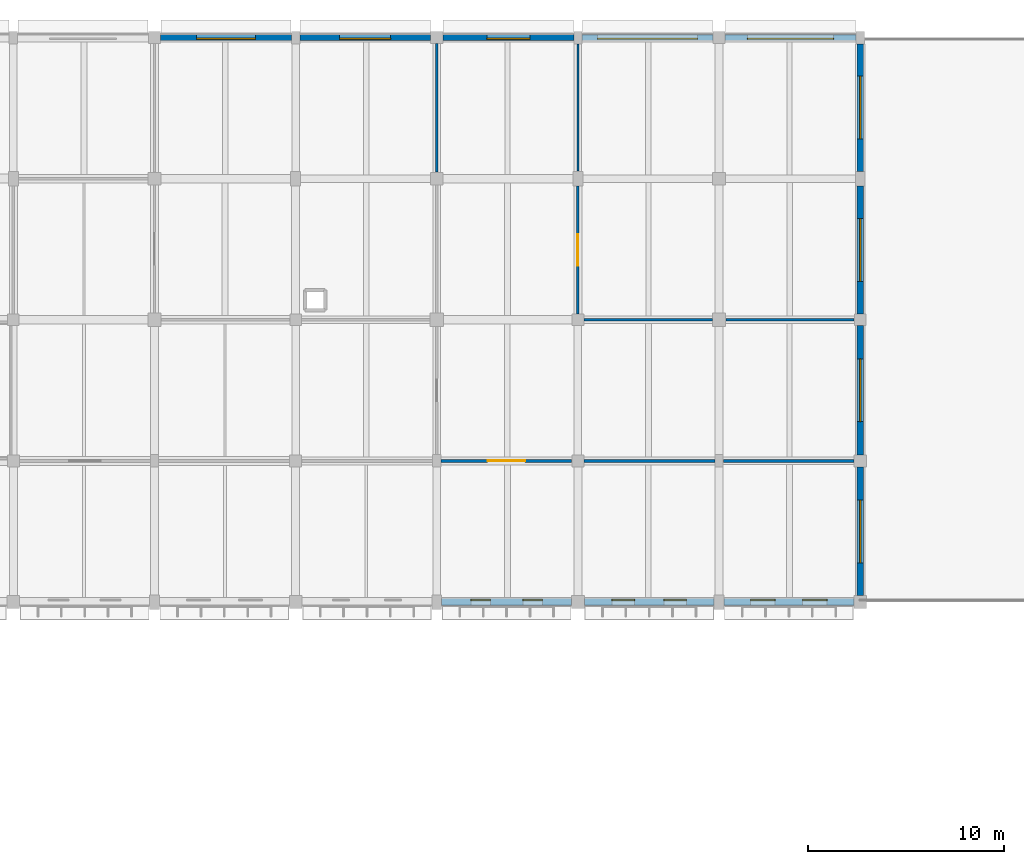
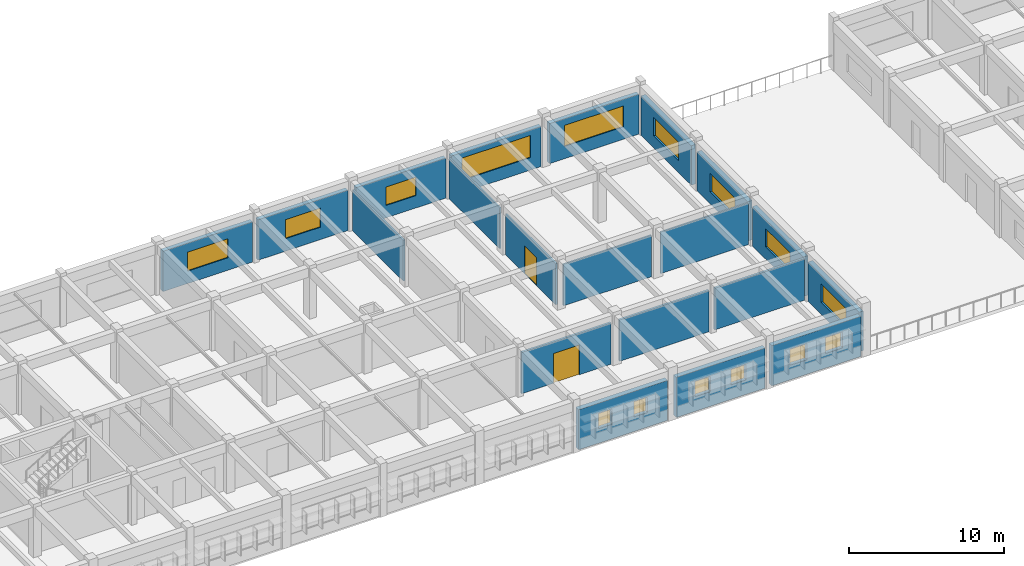
# One storey, part 90 of 103: 20 walls, 15 windows, 2 doors, 17 openings.
"""IFC4 building model written with IfcOpenShell, lengths in metres."""

from ifc_helpers import new_model, si_unit, direction, frame, frame_2d, origin, place, context, subcontext, project, spatial, rectangle, extrude, material, layer, layer_set, type_object, element, fill, save


model = new_model("IFC4")

# Units and contexts
model_context = context("Model", 3, precision=1e-05, world=origin(), true_north=direction((0.0, 1.0)))
body_context = subcontext(model_context, "Body", "Model", "MODEL_VIEW")
ifc_project = project(units=[si_unit("LENGTHUNIT", "METRE"), si_unit("AREAUNIT", "SQUARE_METRE"), si_unit("VOLUMEUNIT", "CUBIC_METRE"), si_unit("PLANEANGLEUNIT", "RADIAN"), si_unit("MASSUNIT", "GRAM", prefix="KILO")], contexts=[model_context])

# Site, building, storey
site_placement = place(None, origin())
site = spatial("IfcSite", under=ifc_project, at=site_placement, CompositionType="ELEMENT")
building_placement = place(site_placement, origin())
building = spatial("IfcBuilding", under=site, at=building_placement, Name="Thalmaran Polytechnic", CompositionType="ELEMENT")
storey_placement = place(building_placement, frame((0.0, 0.0, 14.39990234375)))
storey = spatial("IfcBuildingStorey", under=building, at=storey_placement, Name="L03", CompositionType="ELEMENT", Elevation=14.39990234375)

# Wall, openings, windows
ifc_material_1 = material(Name="Precast concrete C40/50", Category="concrete")
ifc_layer_1 = layer(ifc_material_1, 0.360107421875, Name="Precast concrete C40/50")
ifc_layer_set_1 = layer_set([ifc_layer_1], Name="Precast concrete C40/50")
wall_type_1 = type_object("IfcWallType", Name="WL-EW01", PredefinedType="STANDARD", material=ifc_layer_set_1)
wall_1_placement = place(storey_placement, frame((114.875, 93.60009765625, 0.0), z_axis=(0.0, 0.0, 1.0), x_axis=(-1.0, 0.0, 0.0)))
wall_1 = element("IfcWall", 1, at=wall_1_placement, inside=storey, type_object=wall_type_1, Name="Exterior Precast Facade Wall L03-076", PredefinedType="STANDARD", context=body_context, shape_type="SweptSolid", body=[
    extrude(rectangle(XDim=6.625, YDim=0.360107421875, at=frame_2d((3.3125, 0.0))), origin(), (0.0, 0.0, 1.0), 3.16015625),
])
opening_1_placement = place(wall_1_placement, frame((1.362548828125, 0.0, 1.14990234375)))
opening_1 = element("IfcOpeningElement", 2, at=opening_1_placement, cuts=wall_1, Name="Opening VW11", PredefinedType="OPENING", context=body_context, shape_type="SweptSolid", body=[
    extrude(rectangle(XDim=1.25, YDim=1.25, at=frame_2d((0.625, 0.625))), frame((0.0, 0.18994140625, 0.0), z_axis=(0.0, -1.0, 0.0), x_axis=(1.0, 0.0, 0.0)), (0.0, 0.0, 1.0), 0.380126953125),
])
opening_2_placement = place(wall_1_placement, frame((4.012451171875, 0.0, 1.14990234375)))
opening_2 = element("IfcOpeningElement", 3, at=opening_2_placement, cuts=wall_1, Name="Opening VW11", PredefinedType="OPENING", context=body_context, shape_type="SweptSolid", body=[
    extrude(rectangle(XDim=1.25, YDim=1.25, at=frame_2d((0.625, 0.625))), frame((0.0, 0.18994140625, 0.0), z_axis=(0.0, -1.0, 0.0), x_axis=(1.0, 0.0, 0.0)), (0.0, 0.0, 1.0), 0.380126953125),
])
ifc_material_2 = material(Name="Thermally broken aluminium and double low-E glass", Category="aluminium")
window_type_1 = type_object("IfcWindowType", Name="WN-VZ11", PartitioningType="SINGLE_PANEL", PredefinedType="WINDOW", material=ifc_material_2)
window_1_placement = place(opening_1_placement, origin())
window_1 = element("IfcWindow", 4, at=window_1_placement, inside=storey, type_object=window_type_1, Name="Deep-Set Solar-Screened Window W-0481", OverallHeight=1.25, OverallWidth=1.25, PartitioningType="SINGLE_PANEL", PredefinedType="WINDOW", context=body_context, shape_type="SweptSolid", body=[
    extrude(rectangle(XDim=1.25, YDim=1.25, at=frame_2d((0.625, 0.625))), frame((0.0, -0.080078125, 0.0), z_axis=(0.0, -1.0, 0.0), x_axis=(1.0, 0.0, 0.0)), (0.0, 0.0, 1.0), 0.06005859375),
])
fill(opening_1, window_1)
window_2_placement = place(opening_2_placement, origin())
window_2 = element("IfcWindow", 5, at=window_2_placement, inside=storey, type_object=window_type_1, Name="Deep-Set Solar-Screened Window W-0482", OverallHeight=1.25, OverallWidth=1.25, PartitioningType="SINGLE_PANEL", PredefinedType="WINDOW", context=body_context, shape_type="SweptSolid", body=[
    extrude(rectangle(XDim=1.25, YDim=1.25, at=frame_2d((0.625, 0.625))), frame((0.0, -0.080078125, 0.0), z_axis=(0.0, -1.0, 0.0), x_axis=(1.0, 0.0, 0.0)), (0.0, 0.0, 1.0), 0.06005859375),
])
fill(opening_2, window_2)

wall_2_placement = place(storey_placement, frame((107.75, 93.60009765625, 0.0), z_axis=(0.0, 0.0, 1.0), x_axis=(-1.0, 0.0, 0.0)))
wall_2 = element("IfcWall", 6, at=wall_2_placement, inside=storey, type_object=wall_type_1, Name="Exterior Precast Facade Wall L03-077", PredefinedType="STANDARD", context=body_context, shape_type="SweptSolid", body=[
    extrude(rectangle(XDim=6.625, YDim=0.360107421875, at=frame_2d((3.3125, 0.0))), origin(), (0.0, 0.0, 1.0), 3.16015625),
])
opening_3_placement = place(wall_2_placement, frame((1.41259765625, 0.0, 1.14990234375)))
opening_3 = element("IfcOpeningElement", 7, at=opening_3_placement, cuts=wall_2, Name="Opening VW12", PredefinedType="OPENING", context=body_context, shape_type="SweptSolid", body=[
    extrude(rectangle(XDim=1.14990234375, YDim=1.199951171875, at=frame_2d((0.574951171875, 0.60009765625))), frame((0.0, 0.18994140625, 0.0), z_axis=(0.0, -1.0, 0.0), x_axis=(1.0, 0.0, 0.0)), (0.0, 0.0, 1.0), 0.380126953125),
])
opening_4_placement = place(wall_2_placement, frame((4.0625, 0.0, 1.14990234375)))
opening_4 = element("IfcOpeningElement", 8, at=opening_4_placement, cuts=wall_2, Name="Opening VW12", PredefinedType="OPENING", context=body_context, shape_type="SweptSolid", body=[
    extrude(rectangle(XDim=1.14990234375, YDim=1.199951171875, at=frame_2d((0.574951171875, 0.60009765625))), frame((0.0, 0.18994140625, 0.0), z_axis=(0.0, -1.0, 0.0), x_axis=(1.0, 0.0, 0.0)), (0.0, 0.0, 1.0), 0.380126953125),
])
window_type_2 = type_object("IfcWindowType", Name="WN-VZ12", PartitioningType="SINGLE_PANEL", PredefinedType="WINDOW", material=ifc_material_2)
window_3_placement = place(opening_3_placement, origin())
window_3 = element("IfcWindow", 9, at=window_3_placement, inside=storey, type_object=window_type_2, Name="Deep-Set Solar-Screened Window W-0483", OverallHeight=1.199951171875, OverallWidth=1.14990234375, PartitioningType="SINGLE_PANEL", PredefinedType="WINDOW", context=body_context, shape_type="SweptSolid", body=[
    extrude(rectangle(XDim=1.14990234375, YDim=1.199951171875, at=frame_2d((0.574951171875, 0.60009765625))), frame((0.0, -0.080078125, 0.0), z_axis=(0.0, -1.0, 0.0), x_axis=(1.0, 0.0, 0.0)), (0.0, 0.0, 1.0), 0.06005859375),
])
fill(opening_3, window_3)
window_4_placement = place(opening_4_placement, origin())
window_4 = element("IfcWindow", 10, at=window_4_placement, inside=storey, type_object=window_type_2, Name="Deep-Set Solar-Screened Window W-0484", OverallHeight=1.199951171875, OverallWidth=1.14990234375, PartitioningType="SINGLE_PANEL", PredefinedType="WINDOW", context=body_context, shape_type="SweptSolid", body=[
    extrude(rectangle(XDim=1.14990234375, YDim=1.199951171875, at=frame_2d((0.574951171875, 0.60009765625))), frame((0.0, -0.080078125, 0.0), z_axis=(0.0, -1.0, 0.0), x_axis=(1.0, 0.0, 0.0)), (0.0, 0.0, 1.0), 0.06005859375),
])
fill(opening_4, window_4)

wall_3_placement = place(storey_placement, frame((100.47509765625, 93.60009765625, 0.0), z_axis=(0.0, 0.0, 1.0), x_axis=(-1.0, 0.0, 0.0)))
wall_3 = element("IfcWall", 11, at=wall_3_placement, inside=storey, type_object=wall_type_1, Name="Exterior Precast Facade Wall L03-078", PredefinedType="STANDARD", context=body_context, shape_type="SweptSolid", body=[
    extrude(rectangle(XDim=6.625, YDim=0.360107421875, at=frame_2d((3.3125, 0.0))), origin(), (0.0, 0.0, 1.0), 3.16015625),
])
opening_5_placement = place(wall_3_placement, frame((1.487548828125, 0.0, 1.14990234375)))
opening_5 = element("IfcOpeningElement", 12, at=opening_5_placement, cuts=wall_3, Name="Opening VW13", PredefinedType="OPENING", context=body_context, shape_type="SweptSolid", body=[
    extrude(rectangle(XDim=1.0, YDim=1.199951171875, at=frame_2d((0.5, 0.60009765625))), frame((0.0, 0.18994140625, 0.0), z_axis=(0.0, -1.0, 0.0), x_axis=(1.0, 0.0, 0.0)), (0.0, 0.0, 1.0), 0.380126953125),
])
opening_6_placement = place(wall_3_placement, frame((4.137451171875, 0.0, 1.14990234375)))
opening_6 = element("IfcOpeningElement", 13, at=opening_6_placement, cuts=wall_3, Name="Opening VW13", PredefinedType="OPENING", context=body_context, shape_type="SweptSolid", body=[
    extrude(rectangle(XDim=1.0, YDim=1.199951171875, at=frame_2d((0.5, 0.60009765625))), frame((0.0, 0.18994140625, 0.0), z_axis=(0.0, -1.0, 0.0), x_axis=(1.0, 0.0, 0.0)), (0.0, 0.0, 1.0), 0.380126953125),
])
window_type_3 = type_object("IfcWindowType", Name="WN-VZ13", PartitioningType="SINGLE_PANEL", PredefinedType="WINDOW", material=ifc_material_2)
window_5_placement = place(opening_5_placement, origin())
window_5 = element("IfcWindow", 14, at=window_5_placement, inside=storey, type_object=window_type_3, Name="Deep-Set Solar-Screened Window W-0485", OverallHeight=1.199951171875, OverallWidth=1.0, PartitioningType="SINGLE_PANEL", PredefinedType="WINDOW", context=body_context, shape_type="SweptSolid", body=[
    extrude(rectangle(XDim=1.0, YDim=1.199951171875, at=frame_2d((0.5, 0.60009765625))), frame((0.0, -0.080078125, 0.0), z_axis=(0.0, -1.0, 0.0), x_axis=(1.0, 0.0, 0.0)), (0.0, 0.0, 1.0), 0.06005859375),
])
fill(opening_5, window_5)
window_6_placement = place(opening_6_placement, origin())
window_6 = element("IfcWindow", 15, at=window_6_placement, inside=storey, type_object=window_type_3, Name="Deep-Set Solar-Screened Window W-0486", OverallHeight=1.199951171875, OverallWidth=1.0, PartitioningType="SINGLE_PANEL", PredefinedType="WINDOW", context=body_context, shape_type="SweptSolid", body=[
    extrude(rectangle(XDim=1.0, YDim=1.199951171875, at=frame_2d((0.5, 0.60009765625))), frame((0.0, -0.080078125, 0.0), z_axis=(0.0, -1.0, 0.0), x_axis=(1.0, 0.0, 0.0)), (0.0, 0.0, 1.0), 0.06005859375),
])
fill(opening_6, window_6)

# Wall, opening, window
ifc_layer_2 = layer(ifc_material_1, 0.330078125, Name="Precast concrete C40/50")
ifc_layer_set_2 = layer_set([ifc_layer_2], Name="Precast concrete C40/50")
wall_type_2 = type_object("IfcWallType", Name="WL-EW02", PredefinedType="STANDARD", material=ifc_layer_set_2)
wall_4_placement = place(storey_placement, frame((115.199951171875, 122.080078125, 0.0), z_axis=(0.0, 0.0, 1.0), x_axis=(0.0, -1.0, 0.0)))
wall_4 = element("IfcWall", 16, at=wall_4_placement, inside=storey, type_object=wall_type_2, Name="Terrace Access Wall L03-072", PredefinedType="STANDARD", context=body_context, shape_type="SweptSolid", body=[
    extrude(rectangle(XDim=6.505126953125, YDim=0.330078125, at=frame_2d((3.25244140625, 0.0))), origin(), (0.0, 0.0, 1.0), 3.110107421875),
])
opening_7_placement = place(wall_4_placement, frame((1.652587890625, 0.0, 0.949951171875)))
opening_7 = element("IfcOpeningElement", 17, at=opening_7_placement, cuts=wall_4, Name="Opening RW04", PredefinedType="OPENING", context=body_context, shape_type="SweptSolid", body=[
    extrude(rectangle(XDim=3.199951171875, YDim=1.449951171875, at=frame_2d((1.60009765625, 0.72509765625))), frame((0.0, 0.175048828125, 0.0), z_axis=(0.0, -1.0, 0.0), x_axis=(1.0, 0.0, 0.0)), (0.0, 0.0, 1.0), 0.35009765625),
])
window_type_4 = type_object("IfcWindowType", Name="WN-RW04", PartitioningType="DOUBLE_PANEL_VERTICAL", PredefinedType="WINDOW", material=ifc_material_2)
window_7_placement = place(opening_7_placement, origin())
window_7 = element("IfcWindow", 18, at=window_7_placement, inside=storey, type_object=window_type_4, Name="Terrace Ribbon Window W-0477", OverallHeight=1.449951171875, OverallWidth=3.199951171875, PartitioningType="SINGLE_PANEL", PredefinedType="WINDOW", context=body_context, shape_type="SweptSolid", body=[
    extrude(rectangle(XDim=3.199951171875, YDim=1.449951171875, at=frame_2d((1.60009765625, 0.72509765625))), frame((0.0, 0.030029296875, 0.0), z_axis=(0.0, -1.0, 0.0), x_axis=(1.0, 0.0, 0.0)), (0.0, 0.0, 1.0), 0.06005859375),
])
fill(opening_7, window_7)

wall_5_placement = place(storey_placement, frame((115.199951171875, 114.824951171875, 0.0), z_axis=(0.0, 0.0, 1.0), x_axis=(0.0, -1.0, 0.0)))
wall_5 = element("IfcWall", 19, at=wall_5_placement, inside=storey, type_object=wall_type_2, Name="Terrace Access Wall L03-073", PredefinedType="STANDARD", context=body_context, shape_type="SweptSolid", body=[
    extrude(rectangle(XDim=6.52490234375, YDim=0.330078125, at=frame_2d((3.262451171875, 0.0))), origin(), (0.0, 0.0, 1.0), 3.110107421875),
])
opening_8_placement = place(wall_5_placement, frame((1.66259765625, 0.0, 0.949951171875)))
opening_8 = element("IfcOpeningElement", 20, at=opening_8_placement, cuts=wall_5, Name="Opening RW04", PredefinedType="OPENING", context=body_context, shape_type="SweptSolid", body=[
    extrude(rectangle(XDim=3.199951171875, YDim=1.449951171875, at=frame_2d((1.60009765625, 0.72509765625))), frame((0.0, 0.175048828125, 0.0), z_axis=(0.0, -1.0, 0.0), x_axis=(1.0, 0.0, 0.0)), (0.0, 0.0, 1.0), 0.35009765625),
])
window_8_placement = place(opening_8_placement, origin())
window_8 = element("IfcWindow", 21, at=window_8_placement, inside=storey, type_object=window_type_4, Name="Terrace Ribbon Window W-0478", OverallHeight=1.449951171875, OverallWidth=3.199951171875, PartitioningType="SINGLE_PANEL", PredefinedType="WINDOW", context=body_context, shape_type="SweptSolid", body=[
    extrude(rectangle(XDim=3.199951171875, YDim=1.449951171875, at=frame_2d((1.60009765625, 0.72509765625))), frame((0.0, 0.030029296875, 0.0), z_axis=(0.0, -1.0, 0.0), x_axis=(1.0, 0.0, 0.0)), (0.0, 0.0, 1.0), 0.06005859375),
])
fill(opening_8, window_8)

wall_6_placement = place(storey_placement, frame((115.199951171875, 107.699951171875, 0.0), z_axis=(0.0, 0.0, 1.0), x_axis=(0.0, -1.0, 0.0)))
wall_6 = element("IfcWall", 22, at=wall_6_placement, inside=storey, type_object=wall_type_2, Name="Terrace Access Wall L03-074", PredefinedType="STANDARD", context=body_context, shape_type="SweptSolid", body=[
    extrude(rectangle(XDim=6.58984375, YDim=0.330078125, at=frame_2d((3.294921875, 0.0))), origin(), (0.0, 0.0, 1.0), 3.110107421875),
])
opening_9_placement = place(wall_6_placement, frame((1.695068359375, 0.0, 0.949951171875)))
opening_9 = element("IfcOpeningElement", 23, at=opening_9_placement, cuts=wall_6, Name="Opening RW04", PredefinedType="OPENING", context=body_context, shape_type="SweptSolid", body=[
    extrude(rectangle(XDim=3.199951171875, YDim=1.449951171875, at=frame_2d((1.60009765625, 0.72509765625))), frame((0.0, 0.175048828125, 0.0), z_axis=(0.0, -1.0, 0.0), x_axis=(1.0, 0.0, 0.0)), (0.0, 0.0, 1.0), 0.35009765625),
])
window_9_placement = place(opening_9_placement, origin())
window_9 = element("IfcWindow", 24, at=window_9_placement, inside=storey, type_object=window_type_4, Name="Terrace Ribbon Window W-0479", OverallHeight=1.449951171875, OverallWidth=3.199951171875, PartitioningType="SINGLE_PANEL", PredefinedType="WINDOW", context=body_context, shape_type="SweptSolid", body=[
    extrude(rectangle(XDim=3.199951171875, YDim=1.449951171875, at=frame_2d((1.60009765625, 0.72509765625))), frame((0.0, 0.030029296875, 0.0), z_axis=(0.0, -1.0, 0.0), x_axis=(1.0, 0.0, 0.0)), (0.0, 0.0, 1.0), 0.06005859375),
])
fill(opening_9, window_9)

wall_7_placement = place(storey_placement, frame((115.199951171875, 100.489990234375, 0.0), z_axis=(0.0, 0.0, 1.0), x_axis=(0.0, -1.0, 0.0)))
wall_7 = element("IfcWall", 25, at=wall_7_placement, inside=storey, type_object=wall_type_2, Name="Terrace Access Wall L03-075", PredefinedType="STANDARD", context=body_context, shape_type="SweptSolid", body=[
    extrude(rectangle(XDim=6.56494140625, YDim=0.330078125, at=frame_2d((3.282470703125, 0.0))), origin(), (0.0, 0.0, 1.0), 3.110107421875),
])
opening_10_placement = place(wall_7_placement, frame((1.6826171875, 0.0, 0.949951171875)))
opening_10 = element("IfcOpeningElement", 26, at=opening_10_placement, cuts=wall_7, Name="Opening RW04", PredefinedType="OPENING", context=body_context, shape_type="SweptSolid", body=[
    extrude(rectangle(XDim=3.199951171875, YDim=1.449951171875, at=frame_2d((1.60009765625, 0.72509765625))), frame((0.0, 0.175048828125, 0.0), z_axis=(0.0, -1.0, 0.0), x_axis=(1.0, 0.0, 0.0)), (0.0, 0.0, 1.0), 0.35009765625),
])
window_10_placement = place(opening_10_placement, origin())
window_10 = element("IfcWindow", 27, at=window_10_placement, inside=storey, type_object=window_type_4, Name="Terrace Ribbon Window W-0480", OverallHeight=1.449951171875, OverallWidth=3.199951171875, PartitioningType="SINGLE_PANEL", PredefinedType="WINDOW", context=body_context, shape_type="SweptSolid", body=[
    extrude(rectangle(XDim=3.199951171875, YDim=1.449951171875, at=frame_2d((1.60009765625, 0.72509765625))), frame((0.0, 0.030029296875, 0.0), z_axis=(0.0, -1.0, 0.0), x_axis=(1.0, 0.0, 0.0)), (0.0, 0.0, 1.0), 0.06005859375),
])
fill(opening_10, window_10)

ifc_layer_3 = layer(ifc_material_1, 0.31005859375, Name="Precast concrete C40/50")
ifc_layer_set_3 = layer_set([ifc_layer_3], Name="Precast concrete C40/50")
wall_type_3 = type_object("IfcWallType", Name="WL-EW03", PredefinedType="STANDARD", material=ifc_layer_set_3)
wall_8_placement = place(storey_placement, frame((79.510009765625, 122.39990234375, 0.0), z_axis=(0.0, 0.0, 1.0), x_axis=(1.0, 0.0, 0.0)))
wall_8 = element("IfcWall", 28, at=wall_8_placement, inside=storey, type_object=wall_type_3, Name="Exterior Precast Facade Wall L03-067", PredefinedType="STANDARD", context=body_context, shape_type="SweptSolid", body=[
    extrude(rectangle(XDim=6.679931640625, YDim=0.31005859375, at=frame_2d((3.33984375, 0.0))), origin(), (0.0, 0.0, 1.0), 3.18505859375),
])
opening_11_placement = place(wall_8_placement, frame((1.840087890625, 0.0, 0.97998046875)))
opening_11 = element("IfcOpeningElement", 29, at=opening_11_placement, cuts=wall_8, Name="Opening VW04", PredefinedType="OPENING", context=body_context, shape_type="SweptSolid", body=[
    extrude(rectangle(XDim=3.0, YDim=1.5, at=frame_2d((1.5, 0.75))), frame((0.0, 0.1650390625, 0.0), z_axis=(0.0, -1.0, 0.0), x_axis=(1.0, 0.0, 0.0)), (0.0, 0.0, 1.0), 0.330078125),
])
window_type_5 = type_object("IfcWindowType", Name="WN-VZ04", PartitioningType="DOUBLE_PANEL_VERTICAL", PredefinedType="WINDOW", material=ifc_material_2)
window_11_placement = place(opening_11_placement, origin())
window_11 = element("IfcWindow", 30, at=window_11_placement, inside=storey, type_object=window_type_5, Name="Streamline Ribbon Window W-0472", OverallHeight=1.5, OverallWidth=3.0, PartitioningType="SINGLE_PANEL", PredefinedType="WINDOW", context=body_context, shape_type="SweptSolid", body=[
    extrude(rectangle(XDim=3.0, YDim=1.5, at=frame_2d((1.5, 0.75))), frame((0.0, -0.030029296875, 0.0), z_axis=(0.0, -1.0, 0.0), x_axis=(1.0, 0.0, 0.0)), (0.0, 0.0, 1.0), 0.06005859375),
])
fill(opening_11, window_11)

wall_9_placement = place(storey_placement, frame((86.610107421875, 122.39990234375, 0.0), z_axis=(0.0, 0.0, 1.0), x_axis=(1.0, 0.0, 0.0)))
wall_9 = element("IfcWall", 31, at=wall_9_placement, inside=storey, type_object=wall_type_3, Name="Exterior Precast Facade Wall L03-068", PredefinedType="STANDARD", context=body_context, shape_type="SweptSolid", body=[
    extrude(rectangle(XDim=6.679931640625, YDim=0.31005859375, at=frame_2d((3.33984375, 0.0))), origin(), (0.0, 0.0, 1.0), 3.18505859375),
])
opening_12_placement = place(wall_9_placement, frame((2.0400390625, 0.0, 0.97998046875)))
opening_12 = element("IfcOpeningElement", 32, at=opening_12_placement, cuts=wall_9, Name="Opening VW05", PredefinedType="OPENING", context=body_context, shape_type="SweptSolid", body=[
    extrude(rectangle(XDim=2.60009765625, YDim=1.5, at=frame_2d((1.300048828125, 0.75))), frame((0.0, 0.1650390625, 0.0), z_axis=(0.0, -1.0, 0.0), x_axis=(1.0, 0.0, 0.0)), (0.0, 0.0, 1.0), 0.330078125),
])
window_type_6 = type_object("IfcWindowType", Name="WN-VZ05", PartitioningType="DOUBLE_PANEL_VERTICAL", PredefinedType="WINDOW", material=ifc_material_2)
window_12_placement = place(opening_12_placement, origin())
window_12 = element("IfcWindow", 33, at=window_12_placement, inside=storey, type_object=window_type_6, Name="Streamline Ribbon Window W-0473", OverallHeight=1.5, OverallWidth=2.60009765625, PartitioningType="SINGLE_PANEL", PredefinedType="WINDOW", context=body_context, shape_type="SweptSolid", body=[
    extrude(rectangle(XDim=2.60009765625, YDim=1.5, at=frame_2d((1.300048828125, 0.75))), frame((0.0, -0.030029296875, 0.0), z_axis=(0.0, -1.0, 0.0), x_axis=(1.0, 0.0, 0.0)), (0.0, 0.0, 1.0), 0.06005859375),
])
fill(opening_12, window_12)

wall_10_placement = place(storey_placement, frame((93.909912109375, 122.39990234375, 0.0), z_axis=(0.0, 0.0, 1.0), x_axis=(1.0, 0.0, 0.0)))
wall_10 = element("IfcWall", 34, at=wall_10_placement, inside=storey, type_object=wall_type_3, Name="Exterior Precast Facade Wall L03-069", PredefinedType="STANDARD", context=body_context, shape_type="SweptSolid", body=[
    extrude(rectangle(XDim=6.68017578125, YDim=0.31005859375, at=frame_2d((3.340087890625, 0.0))), origin(), (0.0, 0.0, 1.0), 3.16015625),
])
opening_13_placement = place(wall_10_placement, frame((2.239990234375, 0.0, 0.97998046875)))
opening_13 = element("IfcOpeningElement", 35, at=opening_13_placement, cuts=wall_10, Name="Opening VW06", PredefinedType="OPENING", context=body_context, shape_type="SweptSolid", body=[
    extrude(rectangle(XDim=2.199951171875, YDim=1.449951171875, at=frame_2d((1.10009765625, 0.72509765625))), frame((0.0, 0.1650390625, 0.0), z_axis=(0.0, -1.0, 0.0), x_axis=(1.0, 0.0, 0.0)), (0.0, 0.0, 1.0), 0.330078125),
])
window_type_7 = type_object("IfcWindowType", Name="WN-VZ06", PartitioningType="DOUBLE_PANEL_VERTICAL", PredefinedType="WINDOW", material=ifc_material_2)
window_13_placement = place(opening_13_placement, origin())
window_13 = element("IfcWindow", 36, at=window_13_placement, inside=storey, type_object=window_type_7, Name="Streamline Ribbon Window W-0474", OverallHeight=1.449951171875, OverallWidth=2.199951171875, PartitioningType="SINGLE_PANEL", PredefinedType="WINDOW", context=body_context, shape_type="SweptSolid", body=[
    extrude(rectangle(XDim=2.199951171875, YDim=1.449951171875, at=frame_2d((1.10009765625, 0.72509765625))), frame((0.0, -0.030029296875, 0.0), z_axis=(0.0, -1.0, 0.0), x_axis=(1.0, 0.0, 0.0)), (0.0, 0.0, 1.0), 0.06005859375),
])
fill(opening_13, window_13)

wall_11_placement = place(storey_placement, frame((101.010009765625, 122.39990234375, 0.0), z_axis=(0.0, 0.0, 1.0), x_axis=(1.0, 0.0, 0.0)))
wall_11 = element("IfcWall", 37, at=wall_11_placement, inside=storey, type_object=wall_type_3, Name="Exterior Precast Facade Wall L03-070", PredefinedType="STANDARD", context=body_context, shape_type="SweptSolid", body=[
    extrude(rectangle(XDim=6.679931640625, YDim=0.31005859375, at=frame_2d((3.33984375, 0.0))), origin(), (0.0, 0.0, 1.0), 3.16015625),
])
opening_14_placement = place(wall_11_placement, frame((0.7900390625, 0.0, 0.97998046875)))
opening_14 = element("IfcOpeningElement", 38, at=opening_14_placement, cuts=wall_11, Name="Opening VW15", PredefinedType="OPENING", context=body_context, shape_type="SweptSolid", body=[
    extrude(rectangle(XDim=5.10009765625, YDim=1.75, at=frame_2d((2.550048828125, 0.875))), frame((0.0, 0.1650390625, 0.0), z_axis=(0.0, -1.0, 0.0), x_axis=(1.0, 0.0, 0.0)), (0.0, 0.0, 1.0), 0.330078125),
])
window_type_8 = type_object("IfcWindowType", Name="WN-VZ15", PartitioningType="TRIPLE_PANEL_HORIZONTAL", PredefinedType="WINDOW", material=ifc_material_2)
window_14_placement = place(opening_14_placement, origin())
window_14 = element("IfcWindow", 39, at=window_14_placement, inside=storey, type_object=window_type_8, Name="Streamline Ribbon Window W-0475", OverallHeight=1.75, OverallWidth=5.10009765625, PartitioningType="SINGLE_PANEL", PredefinedType="WINDOW", context=body_context, shape_type="SweptSolid", body=[
    extrude(rectangle(XDim=5.10009765625, YDim=1.75, at=frame_2d((2.550048828125, 0.875))), frame((0.0, -0.030029296875, 0.0), z_axis=(0.0, -1.0, 0.0), x_axis=(1.0, 0.0, 0.0)), (0.0, 0.0, 1.0), 0.06005859375),
])
fill(opening_14, window_14)

wall_12_placement = place(storey_placement, frame((108.31005859375, 122.39990234375, 0.0), z_axis=(0.0, 0.0, 1.0), x_axis=(1.0, 0.0, 0.0)))
wall_12 = element("IfcWall", 40, at=wall_12_placement, inside=storey, type_object=wall_type_3, Name="Exterior Precast Facade Wall L03-071", PredefinedType="STANDARD", context=body_context, shape_type="SweptSolid", body=[
    extrude(rectangle(XDim=6.679931640625, YDim=0.31005859375, at=frame_2d((3.33984375, 0.0))), origin(), (0.0, 0.0, 1.0), 3.16015625),
])
opening_15_placement = place(wall_12_placement, frame((1.139892578125, 0.0, 0.97998046875)))
opening_15 = element("IfcOpeningElement", 41, at=opening_15_placement, cuts=wall_12, Name="Opening VW16", PredefinedType="OPENING", context=body_context, shape_type="SweptSolid", body=[
    extrude(rectangle(XDim=4.39990234375, YDim=1.64990234375, at=frame_2d((2.199951171875, 0.824951171875))), frame((0.0, 0.1650390625, 0.0), z_axis=(0.0, -1.0, 0.0), x_axis=(1.0, 0.0, 0.0)), (0.0, 0.0, 1.0), 0.330078125),
])
window_type_9 = type_object("IfcWindowType", Name="WN-VZ16", PartitioningType="TRIPLE_PANEL_HORIZONTAL", PredefinedType="WINDOW", material=ifc_material_2)
window_15_placement = place(opening_15_placement, origin())
window_15 = element("IfcWindow", 42, at=window_15_placement, inside=storey, type_object=window_type_9, Name="Streamline Ribbon Window W-0476", OverallHeight=1.64990234375, OverallWidth=4.39990234375, PartitioningType="SINGLE_PANEL", PredefinedType="WINDOW", context=body_context, shape_type="SweptSolid", body=[
    extrude(rectangle(XDim=4.39990234375, YDim=1.64990234375, at=frame_2d((2.199951171875, 0.824951171875))), frame((0.0, -0.030029296875, 0.0), z_axis=(0.0, -1.0, 0.0), x_axis=(1.0, 0.0, 0.0)), (0.0, 0.0, 1.0), 0.06005859375),
])
fill(opening_15, window_15)

# Wall, opening, door
ifc_material_3 = material(Name="Gypsum acoustic partition")
ifc_layer_4 = layer(ifc_material_3, 0.159912109375, Name="Gypsum acoustic partition")
ifc_layer_set_4 = layer_set([ifc_layer_4], Name="Gypsum acoustic partition")
wall_type_4 = type_object("IfcWallType", Name="WL-IW05", PredefinedType="PARTITIONING", material=ifc_layer_set_4)
wall_13_placement = place(storey_placement, frame((93.81494140625, 100.800048828125, 0.0), z_axis=(0.0, 0.0, 1.0), x_axis=(1.0, 0.0, 0.0)))
wall_13 = element("IfcWall", 43, at=wall_13_placement, inside=storey, type_object=wall_type_4, Name="Interior Partition IW05 L03-059", PredefinedType="PARTITIONING", context=body_context, shape_type="SweptSolid", body=[
    extrude(rectangle(XDim=6.670166015625, YDim=0.159912109375, at=frame_2d((3.3349609375, 0.0))), origin(), (0.0, 0.0, 1.0), 3.255126953125),
])
opening_16_placement = place(wall_13_placement, frame((2.375, 0.0, 0.0)))
opening_16 = element("IfcOpeningElement", 44, at=opening_16_placement, cuts=wall_13, Name="Opening D-L03-015-2-05-2", PredefinedType="OPENING", context=body_context, shape_type="SweptSolid", body=[
    extrude(rectangle(XDim=1.919921875, YDim=2.35009765625, at=frame_2d((0.9599609375, 1.175048828125))), frame((0.0, 0.08984375, 0.0), z_axis=(0.0, -1.0, 0.0), x_axis=(1.0, 0.0, 0.0)), (0.0, 0.0, 1.0), 0.179931640625),
])
ifc_material_4 = material(Name="Acoustic hardwood and vision glass", Category="wood")
door_type_1 = type_object("IfcDoorType", Name="DR-ZD01", OperationType="NOTDEFINED", PredefinedType="DOOR", material=ifc_material_4)
door_1_placement = place(opening_16_placement, origin())
door_1 = element("IfcDoor", 45, at=door_1_placement, inside=storey, type_object=door_type_1, Name="Digital Learning Commons L03-05 Door 2", OperationType="SINGLE_SWING_RIGHT", OverallHeight=2.35009765625, OverallWidth=1.919921875, PredefinedType="DOOR", context=body_context, shape_type="SweptSolid", body=[
    extrude(rectangle(XDim=1.919921875, YDim=2.35009765625, at=frame_2d((0.9599609375, 1.175048828125))), frame((0.0, 0.02490234375, 0.0), z_axis=(0.0, -1.0, 0.0), x_axis=(1.0, 0.0, 0.0)), (0.0, 0.0, 1.0), 0.050048828125),
])
fill(opening_16, door_1)

# Walls
wall_14_placement = place(storey_placement, frame((101.114990234375, 100.800048828125, 0.0), z_axis=(0.0, 0.0, 1.0), x_axis=(1.0, 0.0, 0.0)))
element("IfcWall", 46, at=wall_14_placement, inside=storey, type_object=wall_type_4, Name="Interior Partition IW05 L03-062", PredefinedType="PARTITIONING", context=body_context, shape_type="SweptSolid", body=[
    extrude(rectangle(XDim=6.669921875, YDim=0.159912109375, at=frame_2d((3.3349609375, 0.0))), origin(), (0.0, 0.0, 1.0), 3.26513671875),
])
wall_15_placement = place(storey_placement, frame((108.215087890625, 100.800048828125, 0.0), z_axis=(0.0, 0.0, 1.0), x_axis=(1.0, 0.0, 0.0)))
element("IfcWall", 47, at=wall_15_placement, inside=storey, type_object=wall_type_4, Name="Interior Partition IW05 L03-064", PredefinedType="PARTITIONING", context=body_context, shape_type="SweptSolid", body=[
    extrude(rectangle(XDim=6.669921875, YDim=0.159912109375, at=frame_2d((3.3349609375, 0.0))), origin(), (0.0, 0.0, 1.0), 3.275146484375),
])
ifc_layer_5 = layer(ifc_material_3, 0.1298828125, Name="Gypsum acoustic partition")
ifc_layer_set_5 = layer_set([ifc_layer_5], Name="Gypsum acoustic partition")
wall_type_5 = type_object("IfcWallType", Name="WL-IW07", PredefinedType="PARTITIONING", material=ifc_layer_set_5)
wall_16_placement = place(storey_placement, frame((93.60009765625, 115.530029296875, 0.0), z_axis=(0.0, 0.0, 1.0), x_axis=(0.0, 1.0, 0.0)))
element("IfcWall", 48, at=wall_16_placement, inside=storey, type_object=wall_type_5, Name="Interior Partition IW07 L03-058", PredefinedType="PARTITIONING", context=body_context, shape_type="SweptSolid", body=[
    extrude(rectangle(XDim=6.554931640625, YDim=0.1298828125, at=frame_2d((3.27734375, 0.0))), origin(), (0.0, 0.0, 1.0), 3.22021484375),
])

# Wall, opening, door
wall_17_placement = place(storey_placement, frame((100.800048828125, 108.304931640625, 0.0), z_axis=(0.0, 0.0, 1.0), x_axis=(0.0, 1.0, 0.0)))
wall_17 = element("IfcWall", 49, at=wall_17_placement, inside=storey, type_object=wall_type_5, Name="Interior Partition IW07 L03-060", PredefinedType="PARTITIONING", context=body_context, shape_type="SweptSolid", body=[
    extrude(rectangle(XDim=6.51513671875, YDim=0.1298828125, at=frame_2d((3.257568359375, 0.0))), origin(), (0.0, 0.0, 1.0), 3.22021484375),
])
opening_17_placement = place(wall_17_placement, frame((2.45751953125, 0.0, 0.0)))
opening_17 = element("IfcOpeningElement", 50, at=opening_17_placement, cuts=wall_17, Name="Opening D-L03-020-2-10-1", PredefinedType="OPENING", context=body_context, shape_type="SweptSolid", body=[
    extrude(rectangle(XDim=1.60009765625, YDim=2.199951171875, at=frame_2d((0.800048828125, 1.10009765625))), frame((0.0, 0.074951171875, 0.0), z_axis=(0.0, -1.0, 0.0), x_axis=(1.0, 0.0, 0.0)), (0.0, 0.0, 1.0), 0.14990234375),
])
ifc_material_5 = material(Name="Powder-coated fire-rated steel", Category="steel")
door_type_2 = type_object("IfcDoorType", Name="DR-FD05", OperationType="NOTDEFINED", PredefinedType="DOOR", material=ifc_material_5)
door_2_placement = place(opening_17_placement, origin())
door_2 = element("IfcDoor", 51, at=door_2_placement, inside=storey, type_object=door_type_2, Name="Library Book Stacks L03-10 Door 1", OperationType="DOUBLE_DOOR_SINGLE_SWING", OverallHeight=2.199951171875, OverallWidth=1.60009765625, PredefinedType="DOOR", context=body_context, shape_type="SweptSolid", body=[
    extrude(rectangle(XDim=1.60009765625, YDim=2.199951171875, at=frame_2d((0.800048828125, 1.10009765625))), frame((0.0, 0.02490234375, 0.0), z_axis=(0.0, -1.0, 0.0), x_axis=(1.0, 0.0, 0.0)), (0.0, 0.0, 1.0), 0.050048828125),
])
fill(opening_17, door_2)

# Walls
ifc_layer_6 = layer(ifc_material_3, 0.114990234375, Name="Gypsum acoustic partition")
ifc_layer_set_6 = layer_set([ifc_layer_6], Name="Gypsum acoustic partition")
wall_type_6 = type_object("IfcWallType", Name="WL-IW08", PredefinedType="PARTITIONING", material=ifc_layer_set_6)
wall_18_placement = place(storey_placement, frame((100.800048828125, 115.580078125, 0.0), z_axis=(0.0, 0.0, 1.0), x_axis=(0.0, 1.0, 0.0)))
element("IfcWall", 52, at=wall_18_placement, inside=storey, type_object=wall_type_6, Name="Interior Partition IW08 L03-061", PredefinedType="PARTITIONING", context=body_context, shape_type="SweptSolid", body=[
    extrude(rectangle(XDim=6.494873046875, YDim=0.114990234375, at=frame_2d((3.24755859375, 0.0))), origin(), (0.0, 0.0, 1.0), 3.22021484375),
])
wall_19_placement = place(storey_placement, frame((101.10498046875, 108.0, 0.0), z_axis=(0.0, 0.0, 1.0), x_axis=(1.0, 0.0, 0.0)))
element("IfcWall", 53, at=wall_19_placement, inside=storey, type_object=wall_type_6, Name="Interior Partition IW08 L03-063", PredefinedType="PARTITIONING", context=body_context, shape_type="SweptSolid", body=[
    extrude(rectangle(XDim=6.550048828125, YDim=0.114990234375, at=frame_2d((3.27490234375, 0.0))), origin(), (0.0, 0.0, 1.0), 3.26513671875),
])
wall_20_placement = place(storey_placement, frame((108.344970703125, 108.0, 0.0), z_axis=(0.0, 0.0, 1.0), x_axis=(1.0, 0.0, 0.0)))
element("IfcWall", 54, at=wall_20_placement, inside=storey, type_object=wall_type_6, Name="Interior Partition IW08 L03-065", PredefinedType="PARTITIONING", context=body_context, shape_type="SweptSolid", body=[
    extrude(rectangle(XDim=6.550048828125, YDim=0.114990234375, at=frame_2d((3.27490234375, 0.0))), origin(), (0.0, 0.0, 1.0), 3.275146484375),
])

save(model, "model.ifc")
